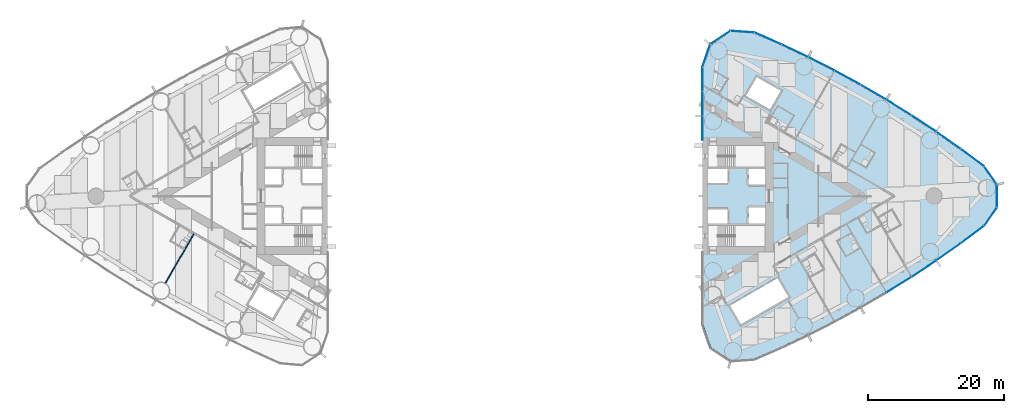
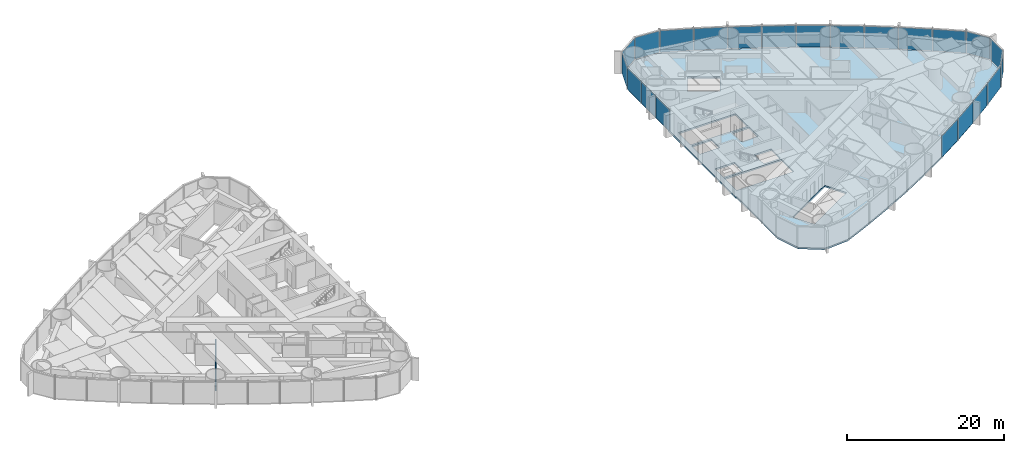
# One storey, part 10 of 19: 22 plates, 1 slab, 1 wall, 1 element without a shape of its own.
"""IFC4 building model written with IfcOpenShell, lengths in metres."""

import ifcopenshell
import ifcopenshell.guid

model = None  # the IFC model being written
_history = None  # IfcOwnerHistory: only IFC2X3 demands one
_inside = {}  # id of a spatial element -> (the spatial element, [elements in it])
_under = {}  # id of a project, library or spatial element -> (it, [spatial elements below it])
_declared = {}  # id of a project -> (the project, [libraries it declares])
_typed = {}  # id of a type object -> (the type object, [elements of that type])
_made_of = {}  # id of a material, layer set ... -> (it, [elements and type objects made of it])


def new_model(schema):
    """Start an empty IFC model of exactly this schema.

    Asked for "IFC4X3", IfcOpenShell would pick the latest addendum, in which some entities
    have other attributes; the version numbers below select the first issue.
    IFC2X3 requires an IfcOwnerHistory on every rooted entity: one is made here for all.
    """
    global model, _history
    if schema == "IFC4X3":
        model = ifcopenshell.file(schema_version=(4, 3, 0, 0))
    else:
        model = ifcopenshell.file(schema=schema)
    _inside.clear()
    _under.clear()
    _declared.clear()
    _typed.clear()
    _made_of.clear()
    _history = None
    if model.schema == "IFC2X3":
        org = make("IfcOrganization", Name="unknown")
        user = make(
            "IfcPersonAndOrganization",
            ThePerson=make("IfcPerson", FamilyName="unknown"),
            TheOrganization=org,
        )
        app = make(
            "IfcApplication",
            ApplicationDeveloper=org,
            Version="unknown",
            ApplicationFullName="unknown",
            ApplicationIdentifier="unknown",
        )
        _history = make(
            "IfcOwnerHistory",
            OwningUser=user,
            OwningApplication=app,
            ChangeAction="ADDED",
            CreationDate=0,
        )
    return model


def make(cls, **values):
    """One entity of the class cls with the attributes given. An attribute that is None is left unset."""
    return model.create_entity(
        cls, **{name: value for name, value in values.items() if value is not None}
    )


def rooted(cls, **values):
    """An entity with a GlobalId (a new one), such as an element, a storey or a relation."""
    return make(cls, GlobalId=ifcopenshell.guid.new(), OwnerHistory=_history, **values)


def si_unit(unit_type, name, prefix=None):
    """IfcSIUnit, for example si_unit("LENGTHUNIT", "METRE", prefix="MILLI")."""
    return make("IfcSIUnit", UnitType=unit_type, Prefix=prefix, Name=name)


def assignment(units):
    """IfcUnitAssignment: the units of a project."""
    return None if units is None else make("IfcUnitAssignment", Units=units)


def point(xyz):
    """IfcCartesianPoint."""
    return None if xyz is None else make("IfcCartesianPoint", Coordinates=xyz)


def direction(xyz):
    """IfcDirection."""
    return None if xyz is None else make("IfcDirection", DirectionRatios=xyz)


def frame(location, z_axis=None, x_axis=None):
    """IfcAxis2Placement3D, a coordinate frame: its origin and axes. An axis left out is left unset."""
    return make(
        "IfcAxis2Placement3D",
        Location=point(location),
        Axis=direction(z_axis),
        RefDirection=direction(x_axis),
    )


def frame_2d(location, x_axis=None):
    """IfcAxis2Placement2D, a coordinate frame in the plane: its origin and x axis."""
    return make(
        "IfcAxis2Placement2D", Location=point(location), RefDirection=direction(x_axis)
    )


def origin():
    """The frame at (0, 0, 0) with its axes left unset."""
    return frame((0.0, 0.0, 0.0))


def origin_2d():
    """The frame at (0, 0) in the plane with its x axis left unset."""
    return frame_2d((0.0, 0.0))


def place(relative_to, where):
    """IfcLocalPlacement: puts the frame where relative to a parent placement (None: the world)."""
    return make(
        "IfcLocalPlacement", PlacementRelTo=relative_to, RelativePlacement=where
    )


def context(
    kind, dimensions, precision=None, world=None, true_north=None, identifier=None
):
    """IfcGeometricRepresentationContext, for example the 3D "Model" context."""
    return make(
        "IfcGeometricRepresentationContext",
        ContextIdentifier=identifier,
        ContextType=kind,
        CoordinateSpaceDimension=dimensions,
        Precision=precision,
        WorldCoordinateSystem=world,
        TrueNorth=true_north,
    )


def subcontext(parent, identifier, kind, view, scale=None):
    """IfcGeometricRepresentationSubContext, for example "Body" below "Model"."""
    return make(
        "IfcGeometricRepresentationSubContext",
        ContextIdentifier=identifier,
        ContextType=kind,
        ParentContext=parent,
        TargetScale=scale,
        TargetView=view,
    )


def project(units=None, contexts=None):
    """IfcProject with its units and contexts."""
    return rooted(
        "IfcProject",
        Name="project",
        RepresentationContexts=contexts,
        UnitsInContext=assignment(units),
    )


def spatial(cls, under=None, at=None, **own):
    """A site, building, storey or space (cls), placed at a placement, below another one or the project."""
    s = rooted(cls, ObjectPlacement=at, **own)
    if under is not None:
        _under.setdefault(under.id(), (under, []))[1].append(s)
    return s


def polyline(points):
    """IfcPolyline through the points."""
    return make("IfcPolyline", Points=[point(p) for p in points])


def profile(cls, at=None, kind="AREA", **sizes):
    """A parametric profile (cls). Its sizes go by their IFC names, for example OverallWidth=200.0."""
    return make(cls, ProfileType=kind, Position=at, **sizes)


def rectangle(**sizes):
    """IfcRectangleProfileDef."""
    return profile("IfcRectangleProfileDef", **sizes)


def outline(outer, holes=None, kind="AREA"):
    """IfcArbitraryClosedProfileDef: a profile drawn as a closed curve; with holes, ...WithVoids."""
    if holes is None:
        return make("IfcArbitraryClosedProfileDef", ProfileType=kind, OuterCurve=outer)
    return make(
        "IfcArbitraryProfileDefWithVoids",
        ProfileType=kind,
        OuterCurve=outer,
        InnerCurves=holes,
    )


def extrude(swept, where, along, depth):
    """IfcExtrudedAreaSolid: the profile swept, set in the frame where, extruded along a direction by depth."""
    return make(
        "IfcExtrudedAreaSolid",
        SweptArea=swept,
        Position=where,
        ExtrudedDirection=direction(along),
        Depth=depth,
    )


def shape(context_of_items, identifier, shape_type, items):
    """IfcShapeRepresentation: the items that make up one representation, for example the "Body"."""
    return make(
        "IfcShapeRepresentation",
        ContextOfItems=context_of_items,
        RepresentationIdentifier=identifier,
        RepresentationType=shape_type,
        Items=items,
    )


def material(Name=None, Category=None):
    """IfcMaterial."""
    return make("IfcMaterial", Name=Name, Category=Category)


def layer(
    of_material, thickness, ventilated=None, Name=None, Category=None, Priority=None
):
    """IfcMaterialLayer: one layer of a wall or slab, of a material (None: an air gap)."""
    return make(
        "IfcMaterialLayer",
        Material=of_material,
        LayerThickness=thickness,
        IsVentilated=ventilated,
        Name=Name,
        Category=Category,
        Priority=Priority,
    )


def layer_set(layers, Name=None):
    """IfcMaterialLayerSet."""
    return make("IfcMaterialLayerSet", MaterialLayers=layers, LayerSetName=Name)


def made_of(thing, what):
    """Note that an element or type object is made of a material, layer set ...; save() writes the relation."""
    if what is not None:
        _made_of.setdefault(what.id(), (what, []))[1].append(thing)
    return thing


def type_object(cls, material=None, **own):
    """A type object (cls), such as IfcWallType, which elements share."""
    return made_of(rooted(cls, **own), material)


def element(
    cls,
    number,
    at=None,
    inside=None,
    cuts=None,
    type_object=None,
    material=None,
    context=None,
    identifier="Body",
    shape_type=None,
    held_by="IfcProductDefinitionShape",
    body=None,
    shapes=None,
    **own,
):
    """One element of the class cls, such as IfcWall. Its Tag is "e" and its number.

    at: its placement. inside: the storey or other place that contains it. cuts: it is an
    opening in that element (IfcRelVoidsElement). A single representation is given by context,
    identifier, shape_type and body (its items); several are given by shapes. held_by: the class
    of the entity that holds the representations. save() writes the other relations.
    """
    e = rooted(cls, Tag="e%d" % number, ObjectPlacement=at, **own)
    if body is not None:
        shapes = [shape(context, identifier, shape_type, body)]
    if shapes is not None:
        e.Representation = make(held_by, Representations=shapes)
    if inside is not None:
        _inside.setdefault(inside.id(), (inside, []))[1].append(e)
    if cuts is not None:
        rooted(
            "IfcRelVoidsElement", RelatingBuildingElement=cuts, RelatedOpeningElement=e
        )
    if type_object is not None:
        _typed.setdefault(type_object.id(), (type_object, []))[1].append(e)
    return made_of(e, material)


def aggregate(whole, parts):
    """IfcRelAggregates: a whole, such as a stair, and the parts it consists of."""
    return rooted("IfcRelAggregates", RelatingObject=whole, RelatedObjects=parts)


def save(model, path):
    """Write the relations noted so far, then the file.

    IfcRelAggregates (storeys below a building ...), IfcRelContainedInSpatialStructure (elements
    in a storey), IfcRelDefinesByType, IfcRelAssociatesMaterial and IfcRelDeclares: one each for
    every whole, place, type object, material and project.
    """
    for whole, parts in _under.values():
        aggregate(whole, parts)
    for where, things in _inside.values():
        rooted(
            "IfcRelContainedInSpatialStructure",
            RelatedElements=things,
            RelatingStructure=where,
        )
    for kind, things in _typed.values():
        rooted("IfcRelDefinesByType", RelatedObjects=things, RelatingType=kind)
    for what, things in _made_of.values():
        rooted("IfcRelAssociatesMaterial", RelatedObjects=things, RelatingMaterial=what)
    for by, libraries in _declared.values():
        rooted("IfcRelDeclares", RelatingContext=by, RelatedDefinitions=libraries)
    model.write(path)


model = new_model("IFC4")

# Units and contexts
model_context = context("Model", 3, precision=1e-05, world=origin(), true_north=direction((0.0, 1.0)))
body_context = subcontext(model_context, "Body", "Model", "MODEL_VIEW")
ifc_project = project(units=[si_unit("LENGTHUNIT", "METRE"), si_unit("AREAUNIT", "SQUARE_METRE"), si_unit("VOLUMEUNIT", "CUBIC_METRE"), si_unit("PLANEANGLEUNIT", "RADIAN"), si_unit("MASSUNIT", "GRAM", prefix="KILO")], contexts=[model_context])

# Site, building, storey
site_placement = place(None, origin())
site = spatial("IfcSite", under=ifc_project, at=site_placement, CompositionType="ELEMENT")
building_placement = place(site_placement, origin())
building = spatial("IfcBuilding", under=site, at=building_placement, Name="Lancet Gate Hotel", CompositionType="ELEMENT")
storey_placement = place(building_placement, frame((0.0, 0.0, 90.60009765625)))
storey = spatial("IfcBuildingStorey", under=building, at=storey_placement, Name="L23", CompositionType="ELEMENT", Elevation=90.60009765625)

# Slab
ifc_material_1 = material(Name="Concrete C50/60", Category="concrete")
ifc_layer_1 = layer(ifc_material_1, 0.25)
ifc_layer_set_1 = layer_set([ifc_layer_1], Name="Floor slab 250")
slab_type = type_object("IfcSlabType", Name="Floor slab 250", PredefinedType="FLOOR", material=ifc_layer_set_1)
slab_placement = place(storey_placement, frame((0.0, 0.0, -0.25)))
element("IfcSlab", 1, at=slab_placement, inside=storey, type_object=slab_type, Name="T2 L23 floor slab", PredefinedType="FLOOR", context=body_context, shape_type="SweptSolid", body=[
    extrude(outline(polyline([(27.5, -8.60009765625), (27.6201171875, -8.60009765625), (27.6201171875, -18.923095703125), (28.7451171875, -22.22412109375), (31.63427734375, -24.1396484375), (35.112060546875, -23.890869140625), (39.0712890625, -22.150634765625), (42.996826171875, -20.29052734375), (46.867919921875, -18.31982421875), (50.681640625, -16.23974609375), (54.4345703125, -14.052490234375), (58.123779296875, -11.75927734375), (61.74658203125, -9.362548828125), (65.2998046875, -6.863525390625), (68.7666015625, -4.275390625), (70.627197265625, -1.6142578125), (70.627197265625, 1.6142578125), (68.7666015625, 4.275390625), (65.2998046875, 6.863525390625), (61.74658203125, 9.362548828125), (58.123779296875, 11.75927734375), (54.4345703125, 14.052490234375), (50.681640625, 16.23974609375), (46.867919921875, 18.31982421875), (42.996826171875, 20.29052734375), (39.0712890625, 22.150634765625), (35.112060546875, 23.890869140625), (31.63427734375, 24.1396484375), (28.7451171875, 22.22412109375), (27.6201171875, 18.923095703125), (27.6201171875, 8.60009765625), (27.5, 8.60009765625), (27.5, 8.199951171875), (27.5, -8.199951171875), (27.5, -8.60009765625)]), holes=[polyline([(36.699951171875, -7.39990234375), (36.699951171875, -4.300048828125), (28.300048828125, -4.300048828125), (28.300048828125, -7.39990234375), (36.699951171875, -7.39990234375)]), polyline([(28.300048828125, -4.0), (31.199951171875, -4.0), (31.199951171875, -1.89990234375), (28.300048828125, -1.89990234375), (28.300048828125, -4.0)]), polyline([(34.25, -4.0), (36.699951171875, -4.0), (36.699951171875, -1.64990234375), (34.25, -1.64990234375), (34.25, -4.0)]), polyline([(36.699951171875, 1.64990234375), (36.699951171875, 4.0), (34.25, 4.0), (34.25, 1.64990234375), (36.699951171875, 1.64990234375)]), polyline([(28.300048828125, 1.89990234375), (31.199951171875, 1.89990234375), (31.199951171875, 4.0), (28.300048828125, 4.0), (28.300048828125, 1.89990234375)]), polyline([(28.300048828125, 4.300048828125), (36.699951171875, 4.300048828125), (36.699951171875, 7.39990234375), (28.300048828125, 7.39990234375), (28.300048828125, 4.300048828125)]), polyline([(31.549072265625, -16.0810546875), (33.14892578125, -18.85205078125), (40.1640625, -14.802001953125), (38.56396484375, -12.031005859375), (31.549072265625, -16.0810546875)]), polyline([(33.887939453125, 14.73095703125), (37.43798828125, 12.680908203125), (39.0380859375, 15.451904296875), (35.488037109375, 17.501953125), (33.887939453125, 14.73095703125)])]), origin(), (0.0, 0.0, 1.0), 0.25),
])

# Curtain wall, plates
ifc_material_2 = material(Name="Aluminium curtain wall", Category="aluminium")
curtain_wall_type = type_object("IfcCurtainWallType", Name="Tower unitised curtain wall", PredefinedType="USERDEFINED", material=ifc_material_2)
curtain_wall_placement = place(storey_placement, origin())
curtain_wall = element("IfcCurtainWall", 2, at=curtain_wall_placement, inside=storey, type_object=curtain_wall_type, Name="T2 L23 curtain wall 1", ObjectType="UNITISED CURTAIN WALL", PredefinedType="USERDEFINED")
ifc_material_3 = material(Name="Glass double glazed unit 8-16-6", Category="glass")
ifc_layer_2 = layer(ifc_material_3, 0.030029296875)
ifc_layer_set_2 = layer_set([ifc_layer_2], Name="Vision panel double glazed")
plate_type = type_object("IfcPlateType", Name="Vision panel double glazed", PredefinedType="CURTAIN_PANEL", material=ifc_layer_set_2)
plate_1_placement = place(storey_placement, frame((56.342529296875, -13.0078125, -0.000244140625), z_axis=(0.0, 0.0, 1.0), x_axis=(0.849317759497, 0.527881940781, 0.0)))
plate_1 = element("IfcPlate", 3, at=plate_1_placement, type_object=plate_type, Name="T2 L23 curtain wall 1 panel 12", PredefinedType="CURTAIN_PANEL", context=body_context, shape_type="SweptSolid", body=[
    extrude(rectangle(XDim=4.2822265625, YDim=0.030029296875, at=origin_2d()), origin(), (0.0, 0.0, 1.0), 3.35009765625),
])
plate_2_placement = place(storey_placement, frame((60.00146484375, -10.660888671875, -0.000244140625), z_axis=(0.0, 0.0, 1.0), x_axis=(0.83398495346, 0.551787184885, 0.0)))
plate_2 = element("IfcPlate", 4, at=plate_2_placement, type_object=plate_type, Name="T2 L23 curtain wall 1 panel 13", PredefinedType="CURTAIN_PANEL", context=body_context, shape_type="SweptSolid", body=[
    extrude(rectangle(XDim=4.2822265625, YDim=0.030029296875, at=origin_2d()), origin(), (0.0, 0.0, 1.0), 3.35009765625),
])
plate_3_placement = place(storey_placement, frame((63.59228515625, -8.211181640625, -0.000244140625), z_axis=(0.0, 0.0, 1.0), x_axis=(0.817979492167, 0.57524738191, 0.0)))
plate_3 = element("IfcPlate", 5, at=plate_3_placement, type_object=plate_type, Name="T2 L23 curtain wall 1 panel 14", PredefinedType="CURTAIN_PANEL", context=body_context, shape_type="SweptSolid", body=[
    extrude(rectangle(XDim=4.2822265625, YDim=0.030029296875, at=origin_2d()), origin(), (0.0, 0.0, 1.0), 3.35009765625),
])
plate_4_placement = place(storey_placement, frame((67.112060546875, -5.660400390625, -0.000244140625), z_axis=(0.0, 0.0, 1.0), x_axis=(0.801314284905, 0.598243609917, 0.0)))
plate_4 = element("IfcPlate", 6, at=plate_4_placement, type_object=plate_type, Name="T2 L23 curtain wall 1 panel 15", PredefinedType="CURTAIN_PANEL", context=body_context, shape_type="SweptSolid", body=[
    extrude(rectangle(XDim=4.2822265625, YDim=0.030029296875, at=origin_2d()), origin(), (0.0, 0.0, 1.0), 3.35009765625),
])
plate_5_placement = place(storey_placement, frame((69.800537109375, -3.006103515625, -0.000244140625), z_axis=(0.0, 0.0, 1.0), x_axis=(0.573025075425, 0.819537834962, 0.0)))
plate_5 = element("IfcPlate", 7, at=plate_5_placement, type_object=plate_type, Name="T2 L23 curtain wall 1 panel 16", PredefinedType="CURTAIN_PANEL", context=body_context, shape_type="SweptSolid", body=[
    extrude(rectangle(XDim=3.2392578125, YDim=0.030029296875, at=origin_2d()), origin(), (0.0, 0.0, 1.0), 3.35009765625),
])
plate_6_placement = place(storey_placement, frame((70.747314453125, 0.0, -0.000244140625), z_axis=(0.0, 0.0, 1.0), x_axis=(0.0, 1.0, 0.0)))
plate_6 = element("IfcPlate", 8, at=plate_6_placement, type_object=plate_type, Name="T2 L23 curtain wall 1 panel 17", PredefinedType="CURTAIN_PANEL", context=body_context, shape_type="SweptSolid", body=[
    extrude(rectangle(XDim=3.2392578125, YDim=0.030029296875, at=origin_2d()), origin(), (0.0, 0.0, 1.0), 3.35009765625),
])
plate_7_placement = place(storey_placement, frame((69.800537109375, 3.006103515625, -0.000244140625), z_axis=(0.0, 0.0, 1.0), x_axis=(-0.573025075425, 0.819537834962, 0.0)))
plate_7 = element("IfcPlate", 9, at=plate_7_placement, type_object=plate_type, Name="T2 L23 curtain wall 1 panel 18", PredefinedType="CURTAIN_PANEL", context=body_context, shape_type="SweptSolid", body=[
    extrude(rectangle(XDim=3.2392578125, YDim=0.030029296875, at=origin_2d()), origin(), (0.0, 0.0, 1.0), 3.35009765625),
])
plate_8_placement = place(storey_placement, frame((67.112060546875, 5.660400390625, -0.000244140625), z_axis=(0.0, 0.0, 1.0), x_axis=(-0.801314284905, 0.598243609917, 0.0)))
plate_8 = element("IfcPlate", 10, at=plate_8_placement, type_object=plate_type, Name="T2 L23 curtain wall 1 panel 19", PredefinedType="CURTAIN_PANEL", context=body_context, shape_type="SweptSolid", body=[
    extrude(rectangle(XDim=4.2822265625, YDim=0.030029296875, at=origin_2d()), origin(), (0.0, 0.0, 1.0), 3.35009765625),
])
plate_9_placement = place(storey_placement, frame((63.59228515625, 8.211181640625, -0.000244140625), z_axis=(0.0, 0.0, 1.0), x_axis=(-0.817979492167, 0.57524738191, 0.0)))
plate_9 = element("IfcPlate", 11, at=plate_9_placement, type_object=plate_type, Name="T2 L23 curtain wall 1 panel 20", PredefinedType="CURTAIN_PANEL", context=body_context, shape_type="SweptSolid", body=[
    extrude(rectangle(XDim=4.2822265625, YDim=0.030029296875, at=origin_2d()), origin(), (0.0, 0.0, 1.0), 3.35009765625),
])
plate_10_placement = place(storey_placement, frame((60.00146484375, 10.660888671875, -0.000244140625), z_axis=(0.0, 0.0, 1.0), x_axis=(-0.83398495346, 0.551787184885, 0.0)))
plate_10 = element("IfcPlate", 12, at=plate_10_placement, type_object=plate_type, Name="T2 L23 curtain wall 1 panel 21", PredefinedType="CURTAIN_PANEL", context=body_context, shape_type="SweptSolid", body=[
    extrude(rectangle(XDim=4.2822265625, YDim=0.030029296875, at=origin_2d()), origin(), (0.0, 0.0, 1.0), 3.35009765625),
])
plate_11_placement = place(storey_placement, frame((56.342529296875, 13.0078125, -0.000244140625), z_axis=(0.0, 0.0, 1.0), x_axis=(-0.849317759497, 0.527881940781, 0.0)))
plate_11 = element("IfcPlate", 13, at=plate_11_placement, type_object=plate_type, Name="T2 L23 curtain wall 1 panel 22", PredefinedType="CURTAIN_PANEL", context=body_context, shape_type="SweptSolid", body=[
    extrude(rectangle(XDim=4.2822265625, YDim=0.030029296875, at=origin_2d()), origin(), (0.0, 0.0, 1.0), 3.35009765625),
])
plate_12_placement = place(storey_placement, frame((52.618408203125, 15.249755859375, -0.000244140625), z_axis=(0.0, 0.0, 1.0), x_axis=(-0.863965543499, 0.503550930538, 0.0)))
plate_12 = element("IfcPlate", 14, at=plate_12_placement, type_object=plate_type, Name="T2 L23 curtain wall 1 panel 23", PredefinedType="CURTAIN_PANEL", context=body_context, shape_type="SweptSolid", body=[
    extrude(rectangle(XDim=4.2822265625, YDim=0.030029296875, at=origin_2d()), origin(), (0.0, 0.0, 1.0), 3.35009765625),
])
plate_13_placement = place(storey_placement, frame((48.832275390625, 17.38525390625, -0.000244140625), z_axis=(0.0, 0.0, 1.0), x_axis=(-0.877916491224, 0.478813778454, 0.0)))
plate_13 = element("IfcPlate", 15, at=plate_13_placement, type_object=plate_type, Name="T2 L23 curtain wall 1 panel 24", PredefinedType="CURTAIN_PANEL", context=body_context, shape_type="SweptSolid", body=[
    extrude(rectangle(XDim=4.2822265625, YDim=0.030029296875, at=origin_2d()), origin(), (0.0, 0.0, 1.0), 3.35009765625),
])
plate_14_placement = place(storey_placement, frame((44.98681640625, 19.412109375, -0.000244140625), z_axis=(0.0, 0.0, 1.0), x_axis=(-0.891159350462, 0.453690436403, 0.0)))
plate_14 = element("IfcPlate", 16, at=plate_14_placement, type_object=plate_type, Name="T2 L23 curtain wall 1 panel 25", PredefinedType="CURTAIN_PANEL", context=body_context, shape_type="SweptSolid", body=[
    extrude(rectangle(XDim=4.2822265625, YDim=0.030029296875, at=origin_2d()), origin(), (0.0, 0.0, 1.0), 3.35009765625),
])
plate_15_placement = place(storey_placement, frame((41.08544921875, 21.3291015625, -0.000244140625), z_axis=(0.0, 0.0, 1.0), x_axis=(-0.903683440096, 0.428201167789, 0.0)))
plate_15 = element("IfcPlate", 17, at=plate_15_placement, type_object=plate_type, Name="T2 L23 curtain wall 1 panel 26", PredefinedType="CURTAIN_PANEL", context=body_context, shape_type="SweptSolid", body=[
    extrude(rectangle(XDim=4.2822265625, YDim=0.030029296875, at=origin_2d()), origin(), (0.0, 0.0, 1.0), 3.35009765625),
])
plate_16_placement = place(storey_placement, frame((37.13134765625, 23.13427734375, -0.000244140625), z_axis=(0.0, 0.0, 1.0), x_axis=(-0.915478658759, 0.40236653111, 0.0)))
plate_16 = element("IfcPlate", 18, at=plate_16_placement, type_object=plate_type, Name="T2 L23 curtain wall 1 panel 27", PredefinedType="CURTAIN_PANEL", context=body_context, shape_type="SweptSolid", body=[
    extrude(rectangle(XDim=4.2822265625, YDim=0.030029296875, at=origin_2d()), origin(), (0.0, 0.0, 1.0), 3.35009765625),
])
plate_17_placement = place(storey_placement, frame((33.37158203125, 24.1357421875, -0.000244140625), z_axis=(0.0, 0.0, 1.0), x_axis=(-0.997448492935, 0.07138980278, 0.0)))
plate_17 = element("IfcPlate", 19, at=plate_17_placement, type_object=plate_type, Name="T2 L23 curtain wall 1 panel 28", PredefinedType="CURTAIN_PANEL", context=body_context, shape_type="SweptSolid", body=[
    extrude(rectangle(XDim=3.4833984375, YDim=0.030029296875, at=origin_2d()), origin(), (0.0, 0.0, 1.0), 3.35009765625),
])
plate_18_placement = place(storey_placement, frame((30.123291015625, 23.281982421875, -0.000244140625), z_axis=(0.0, 0.0, 1.0), x_axis=(-0.833464516611, -0.552572981198, 0.0)))
plate_18 = element("IfcPlate", 20, at=plate_18_placement, type_object=plate_type, Name="T2 L23 curtain wall 1 panel 29", PredefinedType="CURTAIN_PANEL", context=body_context, shape_type="SweptSolid", body=[
    extrude(rectangle(XDim=3.4833984375, YDim=0.030029296875, at=origin_2d()), origin(), (0.0, 0.0, 1.0), 3.35009765625),
])
plate_19_placement = place(storey_placement, frame((28.072265625, 20.622314453125, -0.000244140625), z_axis=(0.0, 0.0, 1.0), x_axis=(-0.32257568891, -0.946543673015, 0.0)))
plate_19 = element("IfcPlate", 21, at=plate_19_placement, type_object=plate_type, Name="T2 L23 curtain wall 1 panel 30", PredefinedType="CURTAIN_PANEL", context=body_context, shape_type="SweptSolid", body=[
    extrude(rectangle(XDim=3.4833984375, YDim=0.030029296875, at=origin_2d()), origin(), (0.0, 0.0, 1.0), 3.35009765625),
])
plate_20_placement = place(storey_placement, frame((27.5, 17.15234375, -0.000244140625), z_axis=(0.0, 0.0, 1.0), x_axis=(0.0, -1.0, 0.0)))
plate_20 = element("IfcPlate", 22, at=plate_20_placement, type_object=plate_type, Name="T2 L23 curtain wall 1 panel 31", PredefinedType="CURTAIN_PANEL", context=body_context, shape_type="SweptSolid", body=[
    extrude(rectangle(XDim=3.515869140625, YDim=0.030029296875, at=origin_2d()), origin(), (0.0, 0.0, 1.0), 3.35009765625),
])
plate_21_placement = place(storey_placement, frame((27.5, 13.571533203125, -0.000244140625), z_axis=(0.0, 0.0, 1.0), x_axis=(0.0, -1.0, 0.0)))
plate_21 = element("IfcPlate", 23, at=plate_21_placement, type_object=plate_type, Name="T2 L23 curtain wall 1 panel 32", PredefinedType="CURTAIN_PANEL", context=body_context, shape_type="SweptSolid", body=[
    extrude(rectangle(XDim=3.515869140625, YDim=0.030029296875, at=origin_2d()), origin(), (0.0, 0.0, 1.0), 3.35009765625),
])
plate_22_placement = place(storey_placement, frame((27.5, 9.990478515625, -0.000244140625), z_axis=(0.0, 0.0, 1.0), x_axis=(0.0, -1.0, 0.0)))
plate_22 = element("IfcPlate", 24, at=plate_22_placement, type_object=plate_type, Name="T2 L23 curtain wall 1 panel 33", PredefinedType="CURTAIN_PANEL", context=body_context, shape_type="SweptSolid", body=[
    extrude(rectangle(XDim=3.515869140625, YDim=0.030029296875, at=origin_2d()), origin(), (0.0, 0.0, 1.0), 3.35009765625),
])
aggregate(curtain_wall, [plate_1, plate_2, plate_3, plate_4, plate_5, plate_6, plate_7, plate_8, plate_9, plate_10, plate_11, plate_12, plate_13, plate_14, plate_15, plate_16, plate_17, plate_18, plate_19, plate_20, plate_21, plate_22])

# Wall
ifc_material_4 = material(Name="Gypsum board partition")
ifc_layer_3 = layer(ifc_material_4, 0.14990234375)
ifc_layer_set_3 = layer_set([ifc_layer_3], Name="Party wall 150")
wall_type = type_object("IfcWallType", Name="Party wall 150", PredefinedType="PARTITIONING", material=ifc_layer_set_3)
wall_placement = place(storey_placement, frame((-47.151123046875, -5.552490234375, 0.0), z_axis=(0.0, 0.0, 1.0), x_axis=(-0.500003012045, -0.866023664773, 0.0)))
element("IfcWall", 25, at=wall_placement, inside=storey, type_object=wall_type, Name="T1 party wall 150 L23", PredefinedType="PARTITIONING", context=body_context, shape_type="SweptSolid", body=[
    extrude(rectangle(XDim=8.31103515625, YDim=0.14990234375, at=frame_2d((4.155517578125, 0.0))), origin(), (0.0, 0.0, 1.0), 2.199951171875),
])

save(model, "model.ifc")
